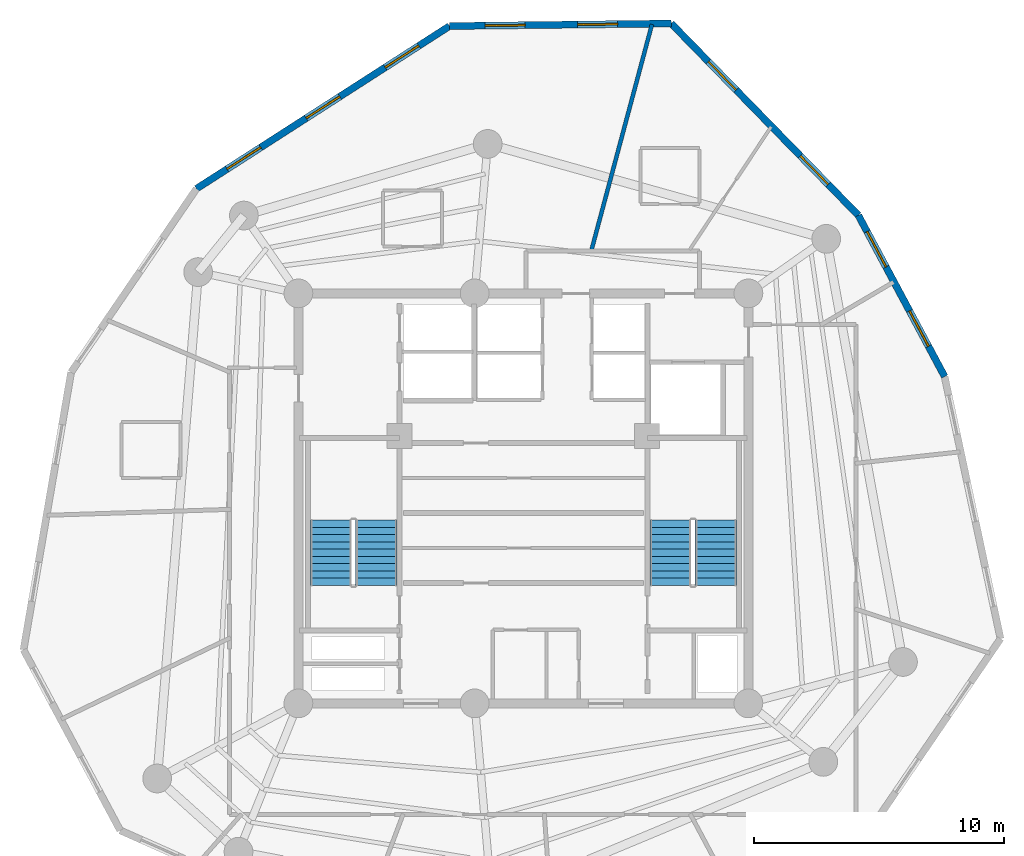
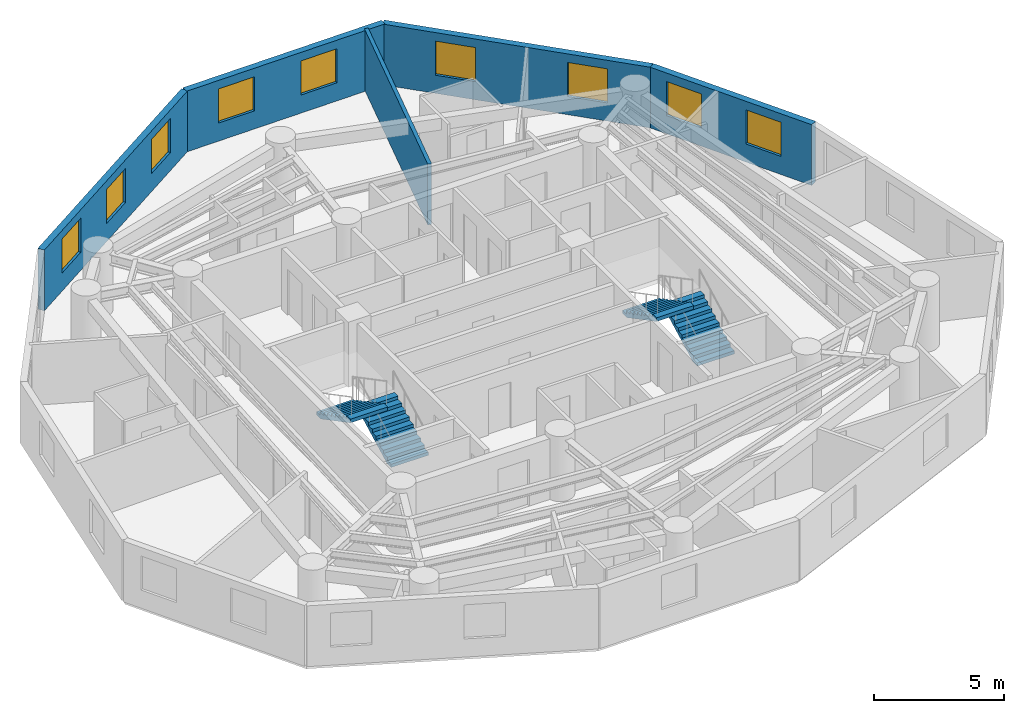
# One storey, part 6 of 7: 9 windows, 5 walls, 4 stair flights, 9 openings, 2 elements without a shape of their own.
"""IFC4 building model written with IfcOpenShell, lengths in metres."""

from ifc_helpers import new_model, si_unit, direction, frame, frame_2d, origin, origin_with_axes, place, context, subcontext, project, spatial, polyline, rectangle, outline, extrude, source, transform, mapped, material, layer, layer_set, type_object, element, fill, aggregate, save


model = new_model("IFC4")

# Units and contexts
model_context = context("Model", 3, precision=1e-05, world=origin(), true_north=direction((0.0, 1.0)))
body_context = subcontext(model_context, "Body", "Model", "MODEL_VIEW")
ifc_project = project(units=[si_unit("LENGTHUNIT", "METRE"), si_unit("AREAUNIT", "SQUARE_METRE"), si_unit("VOLUMEUNIT", "CUBIC_METRE"), si_unit("PLANEANGLEUNIT", "RADIAN"), si_unit("MASSUNIT", "GRAM", prefix="KILO")], contexts=[model_context])

# Site, building, storey
site_placement = place(None, origin())
site = spatial("IfcSite", under=ifc_project, at=site_placement, CompositionType="ELEMENT")
building_placement = place(site_placement, origin())
building = spatial("IfcBuilding", under=site, at=building_placement, Name="Karkom Vertical University and Central Library", CompositionType="ELEMENT")
storey_placement = place(building_placement, frame((0.0, 0.0, 256.550048828125)))
storey = spatial("IfcBuildingStorey", under=building, at=storey_placement, Name="L76", CompositionType="ELEMENT", Elevation=256.550048828125)

# Wall, openings, windows
ifc_material_1 = material(Name="Brick-faced precast concrete C45/55", Category="masonry")
ifc_layer_1 = layer(ifc_material_1, 0.280029296875)
ifc_layer_set_1 = layer_set([ifc_layer_1], Name="Brick-faced precast concrete C45/55")
wall_type_1 = type_object("IfcWallType", Name="ENV-WL-BRK-280", PredefinedType="SOLIDWALL", material=ifc_layer_set_1)
wall_1_placement = place(storey_placement, frame((45.352294921875, 31.372314453125, 0.0), z_axis=(0.0, 0.0, 1.0), x_axis=(-0.471937066775, 0.881632239091, 0.0)))
wall_1 = element("IfcWall", 1, at=wall_1_placement, inside=storey, type_object=wall_type_1, Name="Level 76 Brick-Faced Precast Facade Wall 07", PredefinedType="SOLIDWALL", context=body_context, shape_type="SweptSolid", body=[
    extrude(rectangle(XDim=7.3154296875, YDim=0.280029296875, at=frame_2d((3.65771484375, 0.0))), origin(), (0.0, 0.0, 1.0), 2.849853515625),
])
opening_1_placement = place(wall_1_placement, frame((1.378173828125, 0.0, 0.85009765625)))
opening_1 = element("IfcOpeningElement", 2, at=opening_1_placement, cuts=wall_1, Name="Opening WN-10", PredefinedType="OPENING", context=body_context, shape_type="SweptSolid", body=[
    extrude(rectangle(XDim=1.60009765625, YDim=1.60009765625, at=frame_2d((0.800048828125, 0.800048828125))), frame((0.0, 0.14990234375, 0.0), z_axis=(0.0, -1.0, 0.0), x_axis=(1.0, 0.0, 0.0)), (0.0, 0.0, 1.0), 0.300048828125),
])
opening_2_placement = place(wall_1_placement, frame((4.975830078125, 0.0, 0.85009765625)))
opening_2 = element("IfcOpeningElement", 3, at=opening_2_placement, cuts=wall_1, Name="Opening WN-10", PredefinedType="OPENING", context=body_context, shape_type="SweptSolid", body=[
    extrude(rectangle(XDim=1.60009765625, YDim=1.60009765625, at=frame_2d((0.800048828125, 0.800048828125))), frame((0.0, 0.14990234375, 0.0), z_axis=(0.0, -1.0, 0.0), x_axis=(1.0, 0.0, 0.0)), (0.0, 0.0, 1.0), 0.300048828125),
])
ifc_material_2 = material(Name="Aluminium thermal-break frame with solar-control IGU", Category="aluminium")
window_type = type_object("IfcWindowType", Name="ENV-WIN-WN-10", PartitioningType="SINGLE_PANEL", PredefinedType="WINDOW", material=ifc_material_2)
shared_shape = source(origin_with_axes(), body_context, "Body", "SweptSolid", [
    extrude(rectangle(XDim=1.60009765625, YDim=1.60009765625, at=frame_2d((0.800048828125, 0.800048828125))), frame((0.0, 0.030029296875, 0.0), z_axis=(0.0, -1.0, 0.0), x_axis=(1.0, 0.0, 0.0)), (0.0, 0.0, 1.0), 0.06005859375),
])
window_1_placement = place(opening_1_placement, origin())
window_1 = element("IfcWindow", 4, at=window_1_placement, inside=storey, type_object=window_type, Name="Level 76 Punched Window 7.1", OverallHeight=1.60009765625, OverallWidth=1.60009765625, PartitioningType="SINGLE_PANEL", PredefinedType="WINDOW", context=body_context, shape_type="MappedRepresentation", body=[
    mapped(shared_shape, transform((0.0, 0.0, 0.0), scale=1.0)),
])
fill(opening_1, window_1)
window_2_placement = place(opening_2_placement, origin())
window_2 = element("IfcWindow", 5, at=window_2_placement, inside=storey, type_object=window_type, Name="Level 76 Punched Window 7.2", OverallHeight=1.60009765625, OverallWidth=1.60009765625, PartitioningType="SINGLE_PANEL", PredefinedType="WINDOW", context=body_context, shape_type="MappedRepresentation", body=[
    mapped(shared_shape, transform((0.0, 0.0, 0.0), scale=1.0)),
])
fill(opening_2, window_2)

wall_2_placement = place(storey_placement, frame((41.89990234375, 37.82177734375, 0.0), z_axis=(0.0, 0.0, 1.0), x_axis=(-0.698260952417, 0.715843308504, 0.0)))
wall_2 = element("IfcWall", 6, at=wall_2_placement, inside=storey, type_object=wall_type_1, Name="Level 76 Brick-Faced Precast Facade Wall 08", PredefinedType="SOLIDWALL", context=body_context, shape_type="SweptSolid", body=[
    extrude(rectangle(XDim=10.7197265625, YDim=0.280029296875, at=frame_2d((5.35986328125, 0.0))), origin(), (0.0, 0.0, 1.0), 2.849853515625),
])
opening_3_placement = place(wall_2_placement, frame((1.723388671875, 0.0, 0.85009765625)))
opening_3 = element("IfcOpeningElement", 7, at=opening_3_placement, cuts=wall_2, Name="Opening WN-10", PredefinedType="OPENING", context=body_context, shape_type="SweptSolid", body=[
    extrude(rectangle(XDim=1.60009765625, YDim=1.60009765625, at=frame_2d((0.800048828125, 0.800048828125))), frame((0.0, 0.14990234375, 0.0), z_axis=(0.0, -1.0, 0.0), x_axis=(1.0, 0.0, 0.0)), (0.0, 0.0, 1.0), 0.300048828125),
])
opening_4_placement = place(wall_2_placement, frame((7.003173828125, 0.0, 0.85009765625)))
opening_4 = element("IfcOpeningElement", 8, at=opening_4_placement, cuts=wall_2, Name="Opening WN-10", PredefinedType="OPENING", context=body_context, shape_type="SweptSolid", body=[
    extrude(rectangle(XDim=1.60009765625, YDim=1.60009765625, at=frame_2d((0.800048828125, 0.800048828125))), frame((0.0, 0.14990234375, 0.0), z_axis=(0.0, -1.0, 0.0), x_axis=(1.0, 0.0, 0.0)), (0.0, 0.0, 1.0), 0.300048828125),
])
window_3_placement = place(opening_3_placement, origin())
window_3 = element("IfcWindow", 9, at=window_3_placement, inside=storey, type_object=window_type, Name="Level 76 Punched Window 8.1", OverallHeight=1.60009765625, OverallWidth=1.60009765625, PartitioningType="SINGLE_PANEL", PredefinedType="WINDOW", context=body_context, shape_type="MappedRepresentation", body=[
    mapped(shared_shape, transform((0.0, 0.0, 0.0), scale=1.0)),
])
fill(opening_3, window_3)
window_4_placement = place(opening_4_placement, origin())
window_4 = element("IfcWindow", 10, at=window_4_placement, inside=storey, type_object=window_type, Name="Level 76 Punched Window 8.2", OverallHeight=1.60009765625, OverallWidth=1.60009765625, PartitioningType="SINGLE_PANEL", PredefinedType="WINDOW", context=body_context, shape_type="MappedRepresentation", body=[
    mapped(shared_shape, transform((0.0, 0.0, 0.0), scale=1.0)),
])
fill(opening_4, window_4)

wall_3_placement = place(storey_placement, frame((34.414794921875, 45.495361328125, 0.0), z_axis=(0.0, 0.0, 1.0), x_axis=(-0.999934770343, -0.011421692439, 0.0)))
wall_3 = element("IfcWall", 11, at=wall_3_placement, inside=storey, type_object=wall_type_1, Name="Level 76 Brick-Faced Precast Facade Wall 09", PredefinedType="SOLIDWALL", context=body_context, shape_type="SweptSolid", body=[
    extrude(rectangle(XDim=8.87060546875, YDim=0.280029296875, at=frame_2d((4.435302734375, 0.0))), origin(), (0.0, 0.0, 1.0), 2.849853515625),
])
opening_5_placement = place(wall_3_placement, frame((2.1494140625, 0.0, 0.85009765625)))
opening_5 = element("IfcOpeningElement", 12, at=opening_5_placement, cuts=wall_3, Name="Opening WN-10", PredefinedType="OPENING", context=body_context, shape_type="SweptSolid", body=[
    extrude(rectangle(XDim=1.60009765625, YDim=1.60009765625, at=frame_2d((0.800048828125, 0.800048828125))), frame((0.0, 0.14990234375, 0.0), z_axis=(0.0, -1.0, 0.0), x_axis=(1.0, 0.0, 0.0)), (0.0, 0.0, 1.0), 0.300048828125),
])
opening_6_placement = place(wall_3_placement, frame((5.84375, 0.0, 0.85009765625)))
opening_6 = element("IfcOpeningElement", 13, at=opening_6_placement, cuts=wall_3, Name="Opening WN-10", PredefinedType="OPENING", context=body_context, shape_type="SweptSolid", body=[
    extrude(rectangle(XDim=1.60009765625, YDim=1.60009765625, at=frame_2d((0.800048828125, 0.800048828125))), frame((0.0, 0.14990234375, 0.0), z_axis=(0.0, -1.0, 0.0), x_axis=(1.0, 0.0, 0.0)), (0.0, 0.0, 1.0), 0.300048828125),
])
window_5_placement = place(opening_5_placement, origin())
window_5 = element("IfcWindow", 14, at=window_5_placement, inside=storey, type_object=window_type, Name="Level 76 Punched Window 9.1", OverallHeight=1.60009765625, OverallWidth=1.60009765625, PartitioningType="SINGLE_PANEL", PredefinedType="WINDOW", context=body_context, shape_type="MappedRepresentation", body=[
    mapped(shared_shape, transform((0.0, 0.0, 0.0), scale=1.0)),
])
fill(opening_5, window_5)
window_6_placement = place(opening_6_placement, origin())
window_6 = element("IfcWindow", 15, at=window_6_placement, inside=storey, type_object=window_type, Name="Level 76 Punched Window 9.2", OverallHeight=1.60009765625, OverallWidth=1.60009765625, PartitioningType="SINGLE_PANEL", PredefinedType="WINDOW", context=body_context, shape_type="MappedRepresentation", body=[
    mapped(shared_shape, transform((0.0, 0.0, 0.0), scale=1.0)),
])
fill(opening_6, window_6)

wall_4_placement = place(storey_placement, frame((25.544677734375, 45.39404296875, 0.0), z_axis=(0.0, 0.0, 1.0), x_axis=(-0.841254258946, -0.540639687597, 0.0)))
wall_4 = element("IfcWall", 16, at=wall_4_placement, inside=storey, type_object=wall_type_1, Name="Level 76 Brick-Faced Precast Facade Wall 10", PredefinedType="SOLIDWALL", context=body_context, shape_type="SweptSolid", body=[
    extrude(rectangle(XDim=12.035888671875, YDim=0.280029296875, at=frame_2d((6.01806640625, 0.0))), origin(), (0.0, 0.0, 1.0), 2.849853515625),
])
opening_7_placement = place(wall_4_placement, frame((1.459228515625, 0.0, 0.85009765625)))
opening_7 = element("IfcOpeningElement", 17, at=opening_7_placement, cuts=wall_4, Name="Opening WN-10", PredefinedType="OPENING", context=body_context, shape_type="SweptSolid", body=[
    extrude(rectangle(XDim=1.60009765625, YDim=1.60009765625, at=frame_2d((0.800048828125, 0.800048828125))), frame((0.0, 0.14990234375, 0.0), z_axis=(0.0, -1.0, 0.0), x_axis=(1.0, 0.0, 0.0)), (0.0, 0.0, 1.0), 0.300048828125),
])
opening_8_placement = place(wall_4_placement, frame((5.218017578125, 0.0, 0.85009765625)))
opening_8 = element("IfcOpeningElement", 18, at=opening_8_placement, cuts=wall_4, Name="Opening WN-10", PredefinedType="OPENING", context=body_context, shape_type="SweptSolid", body=[
    extrude(rectangle(XDim=1.60009765625, YDim=1.60009765625, at=frame_2d((0.800048828125, 0.800048828125))), frame((0.0, 0.14990234375, 0.0), z_axis=(0.0, -1.0, 0.0), x_axis=(1.0, 0.0, 0.0)), (0.0, 0.0, 1.0), 0.300048828125),
])
opening_9_placement = place(wall_4_placement, frame((8.9765625, 0.0, 0.85009765625)))
opening_9 = element("IfcOpeningElement", 19, at=opening_9_placement, cuts=wall_4, Name="Opening WN-10", PredefinedType="OPENING", context=body_context, shape_type="SweptSolid", body=[
    extrude(rectangle(XDim=1.60009765625, YDim=1.60009765625, at=frame_2d((0.800048828125, 0.800048828125))), frame((0.0, 0.14990234375, 0.0), z_axis=(0.0, -1.0, 0.0), x_axis=(1.0, 0.0, 0.0)), (0.0, 0.0, 1.0), 0.300048828125),
])
window_7_placement = place(opening_7_placement, origin())
window_7 = element("IfcWindow", 20, at=window_7_placement, inside=storey, type_object=window_type, Name="Level 76 Punched Window 10.1", OverallHeight=1.60009765625, OverallWidth=1.60009765625, PartitioningType="SINGLE_PANEL", PredefinedType="WINDOW", context=body_context, shape_type="MappedRepresentation", body=[
    mapped(shared_shape, transform((0.0, 0.0, 0.0), scale=1.0)),
])
fill(opening_7, window_7)
window_8_placement = place(opening_8_placement, origin())
window_8 = element("IfcWindow", 21, at=window_8_placement, inside=storey, type_object=window_type, Name="Level 76 Punched Window 10.2", OverallHeight=1.60009765625, OverallWidth=1.60009765625, PartitioningType="SINGLE_PANEL", PredefinedType="WINDOW", context=body_context, shape_type="MappedRepresentation", body=[
    mapped(shared_shape, transform((0.0, 0.0, 0.0), scale=1.0)),
])
fill(opening_8, window_8)
window_9_placement = place(opening_9_placement, origin())
window_9 = element("IfcWindow", 22, at=window_9_placement, inside=storey, type_object=window_type, Name="Level 76 Punched Window 10.3", OverallHeight=1.60009765625, OverallWidth=1.60009765625, PartitioningType="SINGLE_PANEL", PredefinedType="WINDOW", context=body_context, shape_type="MappedRepresentation", body=[
    mapped(shared_shape, transform((0.0, 0.0, 0.0), scale=1.0)),
])
fill(opening_9, window_9)

# Wall
ifc_material_3 = material(Name="Insulated metal-stud drywall 160mm", Category="gypsum")
ifc_layer_2 = layer(ifc_material_3, 0.159912109375)
ifc_layer_set_2 = layer_set([ifc_layer_2], Name="Insulated metal-stud drywall 160mm")
wall_type_2 = type_object("IfcWallType", Name="INT-WL-COR-160", PredefinedType="PARTITIONING", material=ifc_layer_set_2)
wall_5_placement = place(storey_placement, frame((31.20703125, 36.37109375, 0.0), z_axis=(0.0, 0.0, 1.0), x_axis=(0.258815637699, 0.965926739294, 0.0)))
element("IfcWall", 23, at=wall_5_placement, inside=storey, type_object=wall_type_2, Name="Level 76 Interior Partition Wall L76-PW-012", PredefinedType="PARTITIONING", context=body_context, shape_type="SweptSolid", body=[
    extrude(rectangle(XDim=9.408447265625, YDim=0.159912109375, at=frame_2d((4.7041015625, 0.0))), origin(), (0.0, 0.0, 1.0), 2.849853515625),
])

# Stair, stair flights
ifc_material_4 = material(Name="Concrete C45/55", Category="concrete")
stair_type = type_object("IfcStairType", Name="INT-STR-ST-MAIN", PredefinedType="HALF_TURN_STAIR", material=ifc_material_4)
stair_1_placement = place(storey_placement, origin())
stair_1 = element("IfcStair", 24, at=stair_1_placement, inside=storey, type_object=stair_type, Name="Level 76 Tower Protected Exit Stair ST-1", PredefinedType="HALF_TURN_STAIR")
stair_flight_type = type_object("IfcStairFlightType", Name="INT-SFL-ST-MAIN", PredefinedType="STRAIGHT", material=ifc_material_4)
stair_flight_1_placement = place(storey_placement, frame((22.614990234375, 23.02001953125, 0.0), z_axis=(0.0, 0.0, 1.0), x_axis=(0.0, 1.0, 0.0)))
stair_flight_1 = element("IfcStairFlight", 25, at=stair_flight_1_placement, type_object=stair_flight_type, Name="ST-1 flight 1", NumberOfRisers=10, NumberOfTreads=9, PredefinedType="STRAIGHT", RiserHeight=0.1525, TreadLength=0.29, context=body_context, shape_type="SweptSolid", body=[
    extrude(outline(polyline([(0.0, 0.0), (0.0, 0.152587890625), (0.2900390625, 0.152587890625), (0.2900390625, 0.304931640625), (0.580078125, 0.304931640625), (0.580078125, 0.45751953125), (0.8701171875, 0.45751953125), (0.8701171875, 0.610107421875), (1.159912109375, 0.610107421875), (1.159912109375, 0.762451171875), (1.449951171875, 0.762451171875), (1.449951171875, 0.9150390625), (1.739990234375, 0.9150390625), (1.739990234375, 1.0673828125), (2.030029296875, 1.0673828125), (2.030029296875, 1.219970703125), (2.320068359375, 1.219970703125), (2.320068359375, 1.37255859375), (2.610107421875, 1.37255859375), (2.610107421875, 1.52490234375), (2.610107421875, 1.203125), (0.322021484375, 0.0), (0.0, 0.0)])), frame((0.0, 0.824951171875, 0.0), z_axis=(0.0, -1.0, 0.0), x_axis=(1.0, 0.0, 0.0)), (0.0, 0.0, 1.0), 1.64990234375),
])
stair_flight_2_placement = place(storey_placement, frame((20.804931640625, 25.6298828125, 1.52490234375), z_axis=(0.0, 0.0, 1.0), x_axis=(0.0, -1.0, 0.0)))
stair_flight_2 = element("IfcStairFlight", 26, at=stair_flight_2_placement, type_object=stair_flight_type, Name="ST-1 flight 2", NumberOfRisers=10, NumberOfTreads=9, PredefinedType="STRAIGHT", RiserHeight=0.1525, TreadLength=0.29, context=body_context, shape_type="SweptSolid", body=[
    extrude(outline(polyline([(0.0, 0.0), (0.0, 0.152587890625), (0.2900390625, 0.152587890625), (0.2900390625, 0.304931640625), (0.580078125, 0.304931640625), (0.580078125, 0.45751953125), (0.8701171875, 0.45751953125), (0.8701171875, 0.610107421875), (1.159912109375, 0.610107421875), (1.159912109375, 0.762451171875), (1.449951171875, 0.762451171875), (1.449951171875, 0.9150390625), (1.739990234375, 0.9150390625), (1.739990234375, 1.0673828125), (2.030029296875, 1.0673828125), (2.030029296875, 1.219970703125), (2.320068359375, 1.219970703125), (2.320068359375, 1.37255859375), (2.610107421875, 1.37255859375), (2.610107421875, 1.52490234375), (2.610107421875, 1.203125), (0.322021484375, 0.0), (0.0, 0.0)])), frame((0.0, 0.824951171875, 0.0), z_axis=(0.0, -1.0, 0.0), x_axis=(1.0, 0.0, 0.0)), (0.0, 0.0, 1.0), 1.64990234375),
])
aggregate(stair_1, [stair_flight_1, stair_flight_2])

stair_2_placement = place(storey_placement, origin())
stair_2 = element("IfcStair", 27, at=stair_2_placement, inside=storey, type_object=stair_type, Name="Level 76 Tower Protected Exit Stair ST-2", PredefinedType="HALF_TURN_STAIR")
stair_flight_3_placement = place(storey_placement, frame((36.195068359375, 23.02001953125, 0.0), z_axis=(0.0, 0.0, 1.0), x_axis=(0.0, 1.0, 0.0)))
stair_flight_3 = element("IfcStairFlight", 28, at=stair_flight_3_placement, type_object=stair_flight_type, Name="ST-2 flight 1", NumberOfRisers=10, NumberOfTreads=9, PredefinedType="STRAIGHT", RiserHeight=0.1525, TreadLength=0.29, context=body_context, shape_type="SweptSolid", body=[
    extrude(outline(polyline([(0.0, 0.0), (0.0, 0.152587890625), (0.2900390625, 0.152587890625), (0.2900390625, 0.304931640625), (0.580078125, 0.304931640625), (0.580078125, 0.45751953125), (0.8701171875, 0.45751953125), (0.8701171875, 0.610107421875), (1.159912109375, 0.610107421875), (1.159912109375, 0.762451171875), (1.449951171875, 0.762451171875), (1.449951171875, 0.9150390625), (1.739990234375, 0.9150390625), (1.739990234375, 1.0673828125), (2.030029296875, 1.0673828125), (2.030029296875, 1.219970703125), (2.320068359375, 1.219970703125), (2.320068359375, 1.37255859375), (2.610107421875, 1.37255859375), (2.610107421875, 1.52490234375), (2.610107421875, 1.203125), (0.322021484375, 0.0), (0.0, 0.0)])), frame((0.0, 0.824951171875, 0.0), z_axis=(0.0, -1.0, 0.0), x_axis=(1.0, 0.0, 0.0)), (0.0, 0.0, 1.0), 1.64990234375),
])
stair_flight_4_placement = place(storey_placement, frame((34.385009765625, 25.6298828125, 1.52490234375), z_axis=(0.0, 0.0, 1.0), x_axis=(0.0, -1.0, 0.0)))
stair_flight_4 = element("IfcStairFlight", 29, at=stair_flight_4_placement, type_object=stair_flight_type, Name="ST-2 flight 2", NumberOfRisers=10, NumberOfTreads=9, PredefinedType="STRAIGHT", RiserHeight=0.1525, TreadLength=0.29, context=body_context, shape_type="SweptSolid", body=[
    extrude(outline(polyline([(0.0, 0.0), (0.0, 0.152587890625), (0.2900390625, 0.152587890625), (0.2900390625, 0.304931640625), (0.580078125, 0.304931640625), (0.580078125, 0.45751953125), (0.8701171875, 0.45751953125), (0.8701171875, 0.610107421875), (1.159912109375, 0.610107421875), (1.159912109375, 0.762451171875), (1.449951171875, 0.762451171875), (1.449951171875, 0.9150390625), (1.739990234375, 0.9150390625), (1.739990234375, 1.0673828125), (2.030029296875, 1.0673828125), (2.030029296875, 1.219970703125), (2.320068359375, 1.219970703125), (2.320068359375, 1.37255859375), (2.610107421875, 1.37255859375), (2.610107421875, 1.52490234375), (2.610107421875, 1.203125), (0.322021484375, 0.0), (0.0, 0.0)])), frame((0.0, 0.824951171875, 0.0), z_axis=(0.0, -1.0, 0.0), x_axis=(1.0, 0.0, 0.0)), (0.0, 0.0, 1.0), 1.64990234375),
])
aggregate(stair_2, [stair_flight_3, stair_flight_4])

save(model, "model.ifc")
